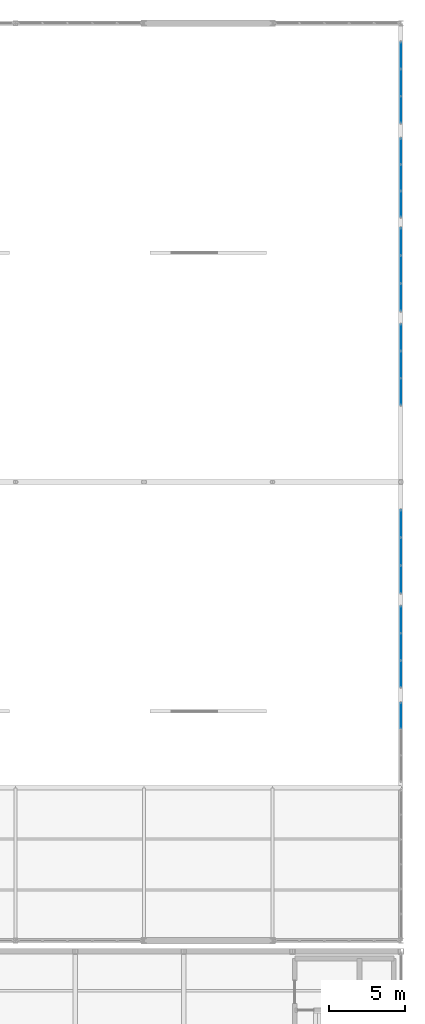
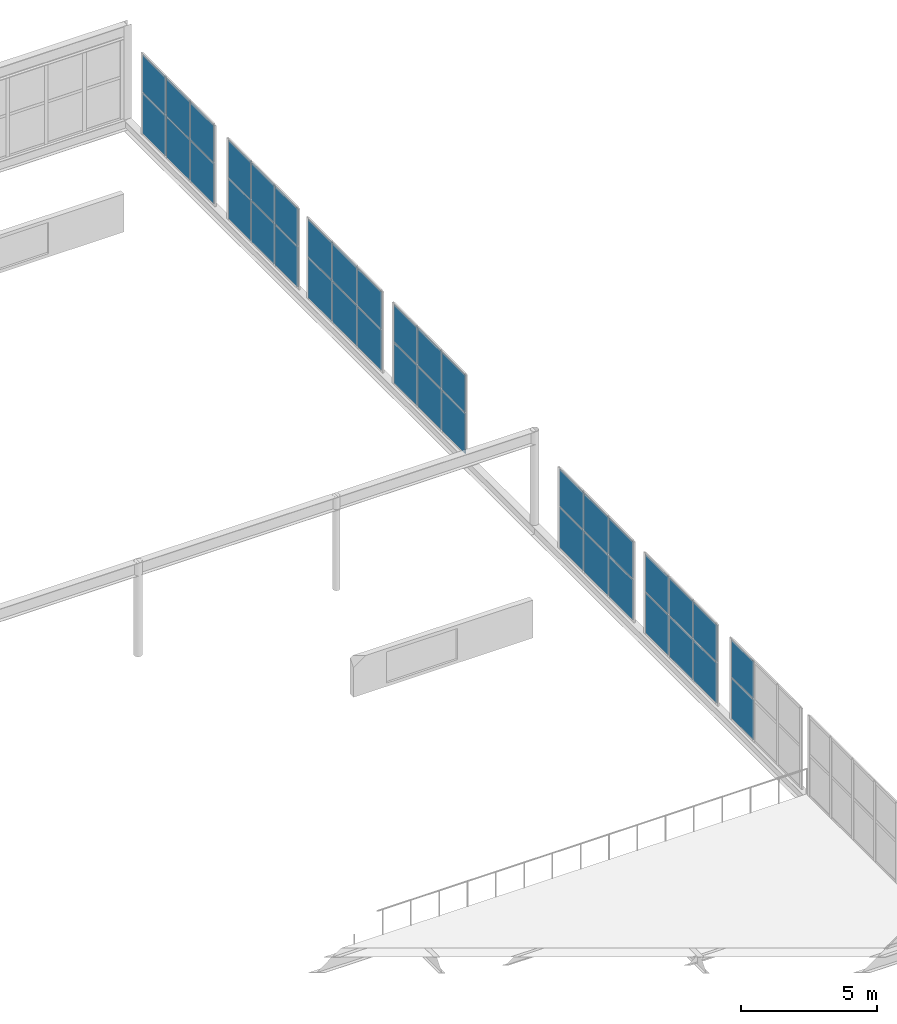
# One storey, part 191 of 218: 38 plates, 7 elements without a shape of their own.
"""IFC4 building model written with IfcOpenShell, lengths in metres."""

from ifc_helpers import new_model, si_unit, direction, frame, origin, origin_2d, place, context, subcontext, project, spatial, rectangle, extrude, material, layer, layer_set, type_object, element, aggregate, save


model = new_model("IFC4")

# Units and contexts
model_context = context("Model", 3, precision=1e-05, world=origin(), true_north=direction((0.0, 1.0)))
body_context = subcontext(model_context, "Body", "Model", "MODEL_VIEW")
ifc_project = project(units=[si_unit("LENGTHUNIT", "METRE"), si_unit("AREAUNIT", "SQUARE_METRE"), si_unit("VOLUMEUNIT", "CUBIC_METRE"), si_unit("PLANEANGLEUNIT", "RADIAN"), si_unit("MASSUNIT", "GRAM", prefix="KILO")], contexts=[model_context])

# Site, building, storey
site_placement = place(None, origin())
site = spatial("IfcSite", under=ifc_project, at=site_placement, CompositionType="ELEMENT")
building_placement = place(site_placement, origin())
building = spatial("IfcBuilding", under=site, at=building_placement, Name="Kazenagashi Tramway Depot", CompositionType="ELEMENT")
storey_placement = place(building_placement, frame((0.0, 0.0, 6.0)))
storey = spatial("IfcBuildingStorey", under=building, at=storey_placement, Name="L02", CompositionType="ELEMENT", Elevation=6.0)

# Curtain wall, plates
ifc_material_1 = material(Name="Anodised Aluminium and Low-E Glazing", Category="aluminium")
curtain_wall_type_1 = type_object("IfcCurtainWallType", Name="CW-04", PredefinedType="USERDEFINED", material=ifc_material_1)
curtain_wall_1_placement = place(storey_placement, origin())
curtain_wall_1 = element("IfcCurtainWall", 1, at=curtain_wall_1_placement, inside=storey, type_object=curtain_wall_type_1, Name="Industrial Glazed Screen CW-04 CW-0004", ObjectType="GLAZED SCREEN", PredefinedType="USERDEFINED")
ifc_material_2 = material(Name="Tempered Laminated Low-E Glass", Category="glass")
ifc_layer_1 = layer(ifc_material_2, 0.022)
ifc_layer_set_1 = layer_set([ifc_layer_1], Name="Tempered Laminated Low-E Glass")
plate_type_1 = type_object("IfcPlateType", Name="GL-04", PredefinedType="CURTAIN_PANEL", material=ifc_layer_set_1)
plate_1_placement = place(storey_placement, frame((196.0, 84.718333, 0.04), z_axis=(0.0, 0.0, 1.0), x_axis=(0.0, 1.0, 0.0)))
plate_1 = element("IfcPlate", 2, at=plate_1_placement, type_object=plate_type_1, Name="CW-04 panel 3.1", PredefinedType="CURTAIN_PANEL", context=body_context, shape_type="SweptSolid", body=[
    extrude(rectangle(XDim=1.643333, YDim=0.022, at=origin_2d()), origin(), (0.0, 0.0, 1.0), 1.799),
])
plate_2_placement = place(storey_placement, frame((196.0, 84.718333, 1.899), z_axis=(0.0, 0.0, 1.0), x_axis=(0.0, 1.0, 0.0)))
plate_2 = element("IfcPlate", 3, at=plate_2_placement, type_object=plate_type_1, Name="CW-04 panel 3.2", PredefinedType="CURTAIN_PANEL", context=body_context, shape_type="SweptSolid", body=[
    extrude(rectangle(XDim=1.643333, YDim=0.022, at=origin_2d()), origin(), (0.0, 0.0, 1.0), 1.653),
])
aggregate(curtain_wall_1, [plate_1, plate_2])

curtain_wall_type_2 = type_object("IfcCurtainWallType", Name="CW-06", PredefinedType="USERDEFINED", material=ifc_material_1)
curtain_wall_2_placement = place(storey_placement, origin())
curtain_wall_2 = element("IfcCurtainWall", 4, at=curtain_wall_2_placement, inside=storey, type_object=curtain_wall_type_2, Name="Industrial Glazed Screen CW-06 CW-0006", ObjectType="GLAZED SCREEN", PredefinedType="USERDEFINED")
ifc_layer_2 = layer(ifc_material_2, 0.026)
ifc_layer_set_2 = layer_set([ifc_layer_2], Name="Tempered Laminated Low-E Glass")
plate_type_2 = type_object("IfcPlateType", Name="GL-06", PredefinedType="CURTAIN_PANEL", material=ifc_layer_set_2)
plate_3_placement = place(storey_placement, frame((196.0, 87.456667, 0.04), z_axis=(0.0, 0.0, 1.0), x_axis=(0.0, 1.0, 0.0)))
plate_3 = element("IfcPlate", 5, at=plate_3_placement, type_object=plate_type_2, Name="CW-06 panel 1.1", PredefinedType="CURTAIN_PANEL", context=body_context, shape_type="SweptSolid", body=[
    extrude(rectangle(XDim=1.693333, YDim=0.026, at=origin_2d()), origin(), (0.0, 0.0, 1.0), 1.799),
])
plate_4_placement = place(storey_placement, frame((196.0, 87.456667, 1.899), z_axis=(0.0, 0.0, 1.0), x_axis=(0.0, 1.0, 0.0)))
plate_4 = element("IfcPlate", 6, at=plate_4_placement, type_object=plate_type_2, Name="CW-06 panel 1.2", PredefinedType="CURTAIN_PANEL", context=body_context, shape_type="SweptSolid", body=[
    extrude(rectangle(XDim=1.693333, YDim=0.026, at=origin_2d()), origin(), (0.0, 0.0, 1.0), 1.653),
])
plate_5_placement = place(storey_placement, frame((196.0, 89.225, 0.04), z_axis=(0.0, 0.0, 1.0), x_axis=(0.0, 1.0, 0.0)))
plate_5 = element("IfcPlate", 7, at=plate_5_placement, type_object=plate_type_2, Name="CW-06 panel 2.1", PredefinedType="CURTAIN_PANEL", context=body_context, shape_type="SweptSolid", body=[
    extrude(rectangle(XDim=1.723333, YDim=0.026, at=origin_2d()), origin(), (0.0, 0.0, 1.0), 1.799),
])
plate_6_placement = place(storey_placement, frame((196.0, 89.225, 1.899), z_axis=(0.0, 0.0, 1.0), x_axis=(0.0, 1.0, 0.0)))
plate_6 = element("IfcPlate", 8, at=plate_6_placement, type_object=plate_type_2, Name="CW-06 panel 2.2", PredefinedType="CURTAIN_PANEL", context=body_context, shape_type="SweptSolid", body=[
    extrude(rectangle(XDim=1.723333, YDim=0.026, at=origin_2d()), origin(), (0.0, 0.0, 1.0), 1.653),
])
plate_7_placement = place(storey_placement, frame((196.0, 90.993333, 0.04), z_axis=(0.0, 0.0, 1.0), x_axis=(0.0, 1.0, 0.0)))
plate_7 = element("IfcPlate", 9, at=plate_7_placement, type_object=plate_type_2, Name="CW-06 panel 3.1", PredefinedType="CURTAIN_PANEL", context=body_context, shape_type="SweptSolid", body=[
    extrude(rectangle(XDim=1.693333, YDim=0.026, at=origin_2d()), origin(), (0.0, 0.0, 1.0), 1.799),
])
plate_8_placement = place(storey_placement, frame((196.0, 90.993333, 1.899), z_axis=(0.0, 0.0, 1.0), x_axis=(0.0, 1.0, 0.0)))
plate_8 = element("IfcPlate", 10, at=plate_8_placement, type_object=plate_type_2, Name="CW-06 panel 3.2", PredefinedType="CURTAIN_PANEL", context=body_context, shape_type="SweptSolid", body=[
    extrude(rectangle(XDim=1.693333, YDim=0.026, at=origin_2d()), origin(), (0.0, 0.0, 1.0), 1.653),
])
aggregate(curtain_wall_2, [plate_3, plate_4, plate_5, plate_6, plate_7, plate_8])

curtain_wall_type_3 = type_object("IfcCurtainWallType", Name="CW-08", PredefinedType="USERDEFINED", material=ifc_material_1)
curtain_wall_3_placement = place(storey_placement, origin())
curtain_wall_3 = element("IfcCurtainWall", 11, at=curtain_wall_3_placement, inside=storey, type_object=curtain_wall_type_3, Name="Industrial Glazed Screen CW-08 CW-0008", ObjectType="GLAZED SCREEN", PredefinedType="USERDEFINED")
ifc_layer_3 = layer(ifc_material_2, 0.03)
ifc_layer_set_3 = layer_set([ifc_layer_3], Name="Tempered Laminated Low-E Glass")
plate_type_3 = type_object("IfcPlateType", Name="GL-08", PredefinedType="CURTAIN_PANEL", material=ifc_layer_set_3)
plate_9_placement = place(storey_placement, frame((196.0, 93.631667, 0.04), z_axis=(0.0, 0.0, 1.0), x_axis=(0.0, 1.0, 0.0)))
plate_9 = element("IfcPlate", 12, at=plate_9_placement, type_object=plate_type_3, Name="CW-08 panel 1.1", PredefinedType="CURTAIN_PANEL", context=body_context, shape_type="SweptSolid", body=[
    extrude(rectangle(XDim=1.743333, YDim=0.03, at=origin_2d()), origin(), (0.0, 0.0, 1.0), 1.799),
])
plate_10_placement = place(storey_placement, frame((196.0, 93.631667, 1.899), z_axis=(0.0, 0.0, 1.0), x_axis=(0.0, 1.0, 0.0)))
plate_10 = element("IfcPlate", 13, at=plate_10_placement, type_object=plate_type_3, Name="CW-08 panel 1.2", PredefinedType="CURTAIN_PANEL", context=body_context, shape_type="SweptSolid", body=[
    extrude(rectangle(XDim=1.743333, YDim=0.03, at=origin_2d()), origin(), (0.0, 0.0, 1.0), 1.653),
])
plate_11_placement = place(storey_placement, frame((196.0, 95.45, 0.04), z_axis=(0.0, 0.0, 1.0), x_axis=(0.0, 1.0, 0.0)))
plate_11 = element("IfcPlate", 14, at=plate_11_placement, type_object=plate_type_3, Name="CW-08 panel 2.1", PredefinedType="CURTAIN_PANEL", context=body_context, shape_type="SweptSolid", body=[
    extrude(rectangle(XDim=1.773333, YDim=0.03, at=origin_2d()), origin(), (0.0, 0.0, 1.0), 1.799),
])
plate_12_placement = place(storey_placement, frame((196.0, 95.45, 1.899), z_axis=(0.0, 0.0, 1.0), x_axis=(0.0, 1.0, 0.0)))
plate_12 = element("IfcPlate", 15, at=plate_12_placement, type_object=plate_type_3, Name="CW-08 panel 2.2", PredefinedType="CURTAIN_PANEL", context=body_context, shape_type="SweptSolid", body=[
    extrude(rectangle(XDim=1.773333, YDim=0.03, at=origin_2d()), origin(), (0.0, 0.0, 1.0), 1.653),
])
plate_13_placement = place(storey_placement, frame((196.0, 97.268333, 0.04), z_axis=(0.0, 0.0, 1.0), x_axis=(0.0, 1.0, 0.0)))
plate_13 = element("IfcPlate", 16, at=plate_13_placement, type_object=plate_type_3, Name="CW-08 panel 3.1", PredefinedType="CURTAIN_PANEL", context=body_context, shape_type="SweptSolid", body=[
    extrude(rectangle(XDim=1.743333, YDim=0.03, at=origin_2d()), origin(), (0.0, 0.0, 1.0), 1.799),
])
plate_14_placement = place(storey_placement, frame((196.0, 97.268333, 1.899), z_axis=(0.0, 0.0, 1.0), x_axis=(0.0, 1.0, 0.0)))
plate_14 = element("IfcPlate", 17, at=plate_14_placement, type_object=plate_type_3, Name="CW-08 panel 3.2", PredefinedType="CURTAIN_PANEL", context=body_context, shape_type="SweptSolid", body=[
    extrude(rectangle(XDim=1.743333, YDim=0.03, at=origin_2d()), origin(), (0.0, 0.0, 1.0), 1.653),
])
aggregate(curtain_wall_3, [plate_9, plate_10, plate_11, plate_12, plate_13, plate_14])

curtain_wall_4_placement = place(storey_placement, origin())
curtain_wall_4 = element("IfcCurtainWall", 18, at=curtain_wall_4_placement, inside=storey, type_object=curtain_wall_type_2, Name="Industrial Glazed Screen CW-06 CW-0010", ObjectType="GLAZED SCREEN", PredefinedType="USERDEFINED")
ifc_layer_4 = layer(ifc_material_2, 0.034)
ifc_layer_set_4 = layer_set([ifc_layer_4], Name="Tempered Laminated Low-E Glass")
plate_type_4 = type_object("IfcPlateType", Name="GL-10", PredefinedType="CURTAIN_PANEL", material=ifc_layer_set_4)
plate_15_placement = place(storey_placement, frame((196.0, 105.906667, 0.04), z_axis=(0.0, 0.0, 1.0), x_axis=(0.0, 1.0, 0.0)))
plate_15 = element("IfcPlate", 19, at=plate_15_placement, type_object=plate_type_4, Name="CW-06 panel 1.1", PredefinedType="CURTAIN_PANEL", context=body_context, shape_type="SweptSolid", body=[
    extrude(rectangle(XDim=1.693333, YDim=0.034, at=origin_2d()), origin(), (0.0, 0.0, 1.0), 1.799),
])
plate_16_placement = place(storey_placement, frame((196.0, 105.906667, 1.899), z_axis=(0.0, 0.0, 1.0), x_axis=(0.0, 1.0, 0.0)))
plate_16 = element("IfcPlate", 20, at=plate_16_placement, type_object=plate_type_4, Name="CW-06 panel 1.2", PredefinedType="CURTAIN_PANEL", context=body_context, shape_type="SweptSolid", body=[
    extrude(rectangle(XDim=1.693333, YDim=0.034, at=origin_2d()), origin(), (0.0, 0.0, 1.0), 1.653),
])
plate_17_placement = place(storey_placement, frame((196.0, 107.675, 0.04), z_axis=(0.0, 0.0, 1.0), x_axis=(0.0, 1.0, 0.0)))
plate_17 = element("IfcPlate", 21, at=plate_17_placement, type_object=plate_type_4, Name="CW-06 panel 2.1", PredefinedType="CURTAIN_PANEL", context=body_context, shape_type="SweptSolid", body=[
    extrude(rectangle(XDim=1.723333, YDim=0.034, at=origin_2d()), origin(), (0.0, 0.0, 1.0), 1.799),
])
plate_18_placement = place(storey_placement, frame((196.0, 107.675, 1.899), z_axis=(0.0, 0.0, 1.0), x_axis=(0.0, 1.0, 0.0)))
plate_18 = element("IfcPlate", 22, at=plate_18_placement, type_object=plate_type_4, Name="CW-06 panel 2.2", PredefinedType="CURTAIN_PANEL", context=body_context, shape_type="SweptSolid", body=[
    extrude(rectangle(XDim=1.723333, YDim=0.034, at=origin_2d()), origin(), (0.0, 0.0, 1.0), 1.653),
])
plate_19_placement = place(storey_placement, frame((196.0, 109.443333, 0.04), z_axis=(0.0, 0.0, 1.0), x_axis=(0.0, 1.0, 0.0)))
plate_19 = element("IfcPlate", 23, at=plate_19_placement, type_object=plate_type_4, Name="CW-06 panel 3.1", PredefinedType="CURTAIN_PANEL", context=body_context, shape_type="SweptSolid", body=[
    extrude(rectangle(XDim=1.693333, YDim=0.034, at=origin_2d()), origin(), (0.0, 0.0, 1.0), 1.799),
])
plate_20_placement = place(storey_placement, frame((196.0, 109.443333, 1.899), z_axis=(0.0, 0.0, 1.0), x_axis=(0.0, 1.0, 0.0)))
plate_20 = element("IfcPlate", 24, at=plate_20_placement, type_object=plate_type_4, Name="CW-06 panel 3.2", PredefinedType="CURTAIN_PANEL", context=body_context, shape_type="SweptSolid", body=[
    extrude(rectangle(XDim=1.693333, YDim=0.034, at=origin_2d()), origin(), (0.0, 0.0, 1.0), 1.653),
])
aggregate(curtain_wall_4, [plate_15, plate_16, plate_17, plate_18, plate_19, plate_20])

curtain_wall_5_placement = place(storey_placement, origin())
curtain_wall_5 = element("IfcCurtainWall", 25, at=curtain_wall_5_placement, inside=storey, type_object=curtain_wall_type_3, Name="Industrial Glazed Screen CW-08 CW-0012", ObjectType="GLAZED SCREEN", PredefinedType="USERDEFINED")
ifc_layer_5 = layer(ifc_material_2, 0.038)
ifc_layer_set_5 = layer_set([ifc_layer_5], Name="Tempered Laminated Low-E Glass")
plate_type_5 = type_object("IfcPlateType", Name="GL-12", PredefinedType="CURTAIN_PANEL", material=ifc_layer_set_5)
plate_21_placement = place(storey_placement, frame((196.0, 112.081667, 0.04), z_axis=(0.0, 0.0, 1.0), x_axis=(0.0, 1.0, 0.0)))
plate_21 = element("IfcPlate", 26, at=plate_21_placement, type_object=plate_type_5, Name="CW-08 panel 1.1", PredefinedType="CURTAIN_PANEL", context=body_context, shape_type="SweptSolid", body=[
    extrude(rectangle(XDim=1.743333, YDim=0.038, at=origin_2d()), origin(), (0.0, 0.0, 1.0), 1.799),
])
plate_22_placement = place(storey_placement, frame((196.0, 112.081667, 1.899), z_axis=(0.0, 0.0, 1.0), x_axis=(0.0, 1.0, 0.0)))
plate_22 = element("IfcPlate", 27, at=plate_22_placement, type_object=plate_type_5, Name="CW-08 panel 1.2", PredefinedType="CURTAIN_PANEL", context=body_context, shape_type="SweptSolid", body=[
    extrude(rectangle(XDim=1.743333, YDim=0.038, at=origin_2d()), origin(), (0.0, 0.0, 1.0), 1.653),
])
plate_23_placement = place(storey_placement, frame((196.0, 113.9, 0.04), z_axis=(0.0, 0.0, 1.0), x_axis=(0.0, 1.0, 0.0)))
plate_23 = element("IfcPlate", 28, at=plate_23_placement, type_object=plate_type_5, Name="CW-08 panel 2.1", PredefinedType="CURTAIN_PANEL", context=body_context, shape_type="SweptSolid", body=[
    extrude(rectangle(XDim=1.773333, YDim=0.038, at=origin_2d()), origin(), (0.0, 0.0, 1.0), 1.799),
])
plate_24_placement = place(storey_placement, frame((196.0, 113.9, 1.899), z_axis=(0.0, 0.0, 1.0), x_axis=(0.0, 1.0, 0.0)))
plate_24 = element("IfcPlate", 29, at=plate_24_placement, type_object=plate_type_5, Name="CW-08 panel 2.2", PredefinedType="CURTAIN_PANEL", context=body_context, shape_type="SweptSolid", body=[
    extrude(rectangle(XDim=1.773333, YDim=0.038, at=origin_2d()), origin(), (0.0, 0.0, 1.0), 1.653),
])
plate_25_placement = place(storey_placement, frame((196.0, 115.718333, 0.04), z_axis=(0.0, 0.0, 1.0), x_axis=(0.0, 1.0, 0.0)))
plate_25 = element("IfcPlate", 30, at=plate_25_placement, type_object=plate_type_5, Name="CW-08 panel 3.1", PredefinedType="CURTAIN_PANEL", context=body_context, shape_type="SweptSolid", body=[
    extrude(rectangle(XDim=1.743333, YDim=0.038, at=origin_2d()), origin(), (0.0, 0.0, 1.0), 1.799),
])
plate_26_placement = place(storey_placement, frame((196.0, 115.718333, 1.899), z_axis=(0.0, 0.0, 1.0), x_axis=(0.0, 1.0, 0.0)))
plate_26 = element("IfcPlate", 31, at=plate_26_placement, type_object=plate_type_5, Name="CW-08 panel 3.2", PredefinedType="CURTAIN_PANEL", context=body_context, shape_type="SweptSolid", body=[
    extrude(rectangle(XDim=1.743333, YDim=0.038, at=origin_2d()), origin(), (0.0, 0.0, 1.0), 1.653),
])
aggregate(curtain_wall_5, [plate_21, plate_22, plate_23, plate_24, plate_25, plate_26])

curtain_wall_6_placement = place(storey_placement, origin())
curtain_wall_6 = element("IfcCurtainWall", 32, at=curtain_wall_6_placement, inside=storey, type_object=curtain_wall_type_1, Name="Industrial Glazed Screen CW-04 CW-0014", ObjectType="GLAZED SCREEN", PredefinedType="USERDEFINED")
ifc_layer_6 = layer(ifc_material_2, 0.042)
ifc_layer_set_6 = layer_set([ifc_layer_6], Name="Tempered Laminated Low-E Glass")
plate_type_6 = type_object("IfcPlateType", Name="GL-14", PredefinedType="CURTAIN_PANEL", material=ifc_layer_set_6)
plate_27_placement = place(storey_placement, frame((196.0, 118.181667, 0.04), z_axis=(0.0, 0.0, 1.0), x_axis=(0.0, 1.0, 0.0)))
plate_27 = element("IfcPlate", 33, at=plate_27_placement, type_object=plate_type_6, Name="CW-04 panel 1.1", PredefinedType="CURTAIN_PANEL", context=body_context, shape_type="SweptSolid", body=[
    extrude(rectangle(XDim=1.643333, YDim=0.042, at=origin_2d()), origin(), (0.0, 0.0, 1.0), 1.799),
])
plate_28_placement = place(storey_placement, frame((196.0, 118.181667, 1.899), z_axis=(0.0, 0.0, 1.0), x_axis=(0.0, 1.0, 0.0)))
plate_28 = element("IfcPlate", 34, at=plate_28_placement, type_object=plate_type_6, Name="CW-04 panel 1.2", PredefinedType="CURTAIN_PANEL", context=body_context, shape_type="SweptSolid", body=[
    extrude(rectangle(XDim=1.643333, YDim=0.042, at=origin_2d()), origin(), (0.0, 0.0, 1.0), 1.653),
])
plate_29_placement = place(storey_placement, frame((196.0, 119.9, 0.04), z_axis=(0.0, 0.0, 1.0), x_axis=(0.0, 1.0, 0.0)))
plate_29 = element("IfcPlate", 35, at=plate_29_placement, type_object=plate_type_6, Name="CW-04 panel 2.1", PredefinedType="CURTAIN_PANEL", context=body_context, shape_type="SweptSolid", body=[
    extrude(rectangle(XDim=1.673333, YDim=0.042, at=origin_2d()), origin(), (0.0, 0.0, 1.0), 1.799),
])
plate_30_placement = place(storey_placement, frame((196.0, 119.9, 1.899), z_axis=(0.0, 0.0, 1.0), x_axis=(0.0, 1.0, 0.0)))
plate_30 = element("IfcPlate", 36, at=plate_30_placement, type_object=plate_type_6, Name="CW-04 panel 2.2", PredefinedType="CURTAIN_PANEL", context=body_context, shape_type="SweptSolid", body=[
    extrude(rectangle(XDim=1.673333, YDim=0.042, at=origin_2d()), origin(), (0.0, 0.0, 1.0), 1.653),
])
plate_31_placement = place(storey_placement, frame((196.0, 121.618333, 0.04), z_axis=(0.0, 0.0, 1.0), x_axis=(0.0, 1.0, 0.0)))
plate_31 = element("IfcPlate", 37, at=plate_31_placement, type_object=plate_type_6, Name="CW-04 panel 3.1", PredefinedType="CURTAIN_PANEL", context=body_context, shape_type="SweptSolid", body=[
    extrude(rectangle(XDim=1.643333, YDim=0.042, at=origin_2d()), origin(), (0.0, 0.0, 1.0), 1.799),
])
plate_32_placement = place(storey_placement, frame((196.0, 121.618333, 1.899), z_axis=(0.0, 0.0, 1.0), x_axis=(0.0, 1.0, 0.0)))
plate_32 = element("IfcPlate", 38, at=plate_32_placement, type_object=plate_type_6, Name="CW-04 panel 3.2", PredefinedType="CURTAIN_PANEL", context=body_context, shape_type="SweptSolid", body=[
    extrude(rectangle(XDim=1.643333, YDim=0.042, at=origin_2d()), origin(), (0.0, 0.0, 1.0), 1.653),
])
aggregate(curtain_wall_6, [plate_27, plate_28, plate_29, plate_30, plate_31, plate_32])

curtain_wall_7_placement = place(storey_placement, origin())
curtain_wall_7 = element("IfcCurtainWall", 39, at=curtain_wall_7_placement, inside=storey, type_object=curtain_wall_type_2, Name="Industrial Glazed Screen CW-06 CW-0016", ObjectType="GLAZED SCREEN", PredefinedType="USERDEFINED")
ifc_layer_7 = layer(ifc_material_2, 0.046)
ifc_layer_set_7 = layer_set([ifc_layer_7], Name="Tempered Laminated Low-E Glass")
plate_type_7 = type_object("IfcPlateType", Name="GL-16", PredefinedType="CURTAIN_PANEL", material=ifc_layer_set_7)
plate_33_placement = place(storey_placement, frame((196.0, 124.356667, 0.04), z_axis=(0.0, 0.0, 1.0), x_axis=(0.0, 1.0, 0.0)))
plate_33 = element("IfcPlate", 40, at=plate_33_placement, type_object=plate_type_7, Name="CW-06 panel 1.1", PredefinedType="CURTAIN_PANEL", context=body_context, shape_type="SweptSolid", body=[
    extrude(rectangle(XDim=1.693333, YDim=0.046, at=origin_2d()), origin(), (0.0, 0.0, 1.0), 1.799),
])
plate_34_placement = place(storey_placement, frame((196.0, 124.356667, 1.899), z_axis=(0.0, 0.0, 1.0), x_axis=(0.0, 1.0, 0.0)))
plate_34 = element("IfcPlate", 41, at=plate_34_placement, type_object=plate_type_7, Name="CW-06 panel 1.2", PredefinedType="CURTAIN_PANEL", context=body_context, shape_type="SweptSolid", body=[
    extrude(rectangle(XDim=1.693333, YDim=0.046, at=origin_2d()), origin(), (0.0, 0.0, 1.0), 1.653),
])
plate_35_placement = place(storey_placement, frame((196.0, 126.125, 0.04), z_axis=(0.0, 0.0, 1.0), x_axis=(0.0, 1.0, 0.0)))
plate_35 = element("IfcPlate", 42, at=plate_35_placement, type_object=plate_type_7, Name="CW-06 panel 2.1", PredefinedType="CURTAIN_PANEL", context=body_context, shape_type="SweptSolid", body=[
    extrude(rectangle(XDim=1.723333, YDim=0.046, at=origin_2d()), origin(), (0.0, 0.0, 1.0), 1.799),
])
plate_36_placement = place(storey_placement, frame((196.0, 126.125, 1.899), z_axis=(0.0, 0.0, 1.0), x_axis=(0.0, 1.0, 0.0)))
plate_36 = element("IfcPlate", 43, at=plate_36_placement, type_object=plate_type_7, Name="CW-06 panel 2.2", PredefinedType="CURTAIN_PANEL", context=body_context, shape_type="SweptSolid", body=[
    extrude(rectangle(XDim=1.723333, YDim=0.046, at=origin_2d()), origin(), (0.0, 0.0, 1.0), 1.653),
])
plate_37_placement = place(storey_placement, frame((196.0, 127.893333, 0.04), z_axis=(0.0, 0.0, 1.0), x_axis=(0.0, 1.0, 0.0)))
plate_37 = element("IfcPlate", 44, at=plate_37_placement, type_object=plate_type_7, Name="CW-06 panel 3.1", PredefinedType="CURTAIN_PANEL", context=body_context, shape_type="SweptSolid", body=[
    extrude(rectangle(XDim=1.693333, YDim=0.046, at=origin_2d()), origin(), (0.0, 0.0, 1.0), 1.799),
])
plate_38_placement = place(storey_placement, frame((196.0, 127.893333, 1.899), z_axis=(0.0, 0.0, 1.0), x_axis=(0.0, 1.0, 0.0)))
plate_38 = element("IfcPlate", 45, at=plate_38_placement, type_object=plate_type_7, Name="CW-06 panel 3.2", PredefinedType="CURTAIN_PANEL", context=body_context, shape_type="SweptSolid", body=[
    extrude(rectangle(XDim=1.693333, YDim=0.046, at=origin_2d()), origin(), (0.0, 0.0, 1.0), 1.653),
])
aggregate(curtain_wall_7, [plate_33, plate_34, plate_35, plate_36, plate_37, plate_38])

save(model, "model.ifc")
